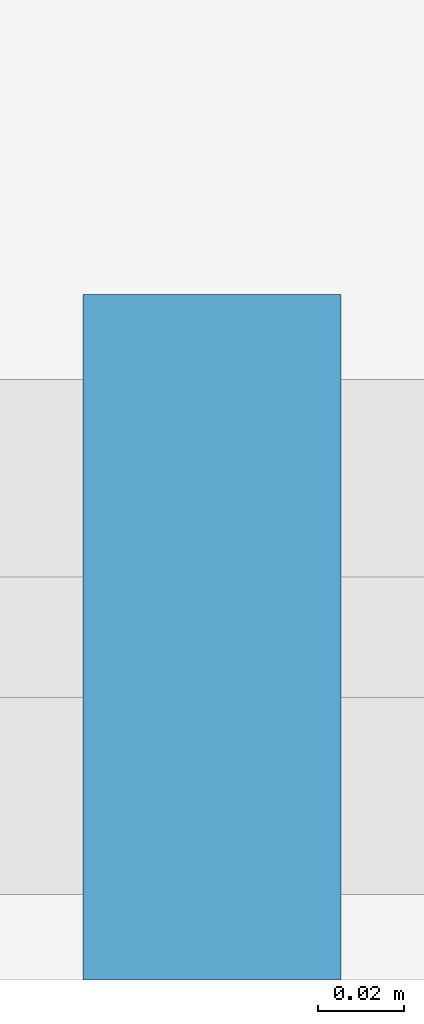
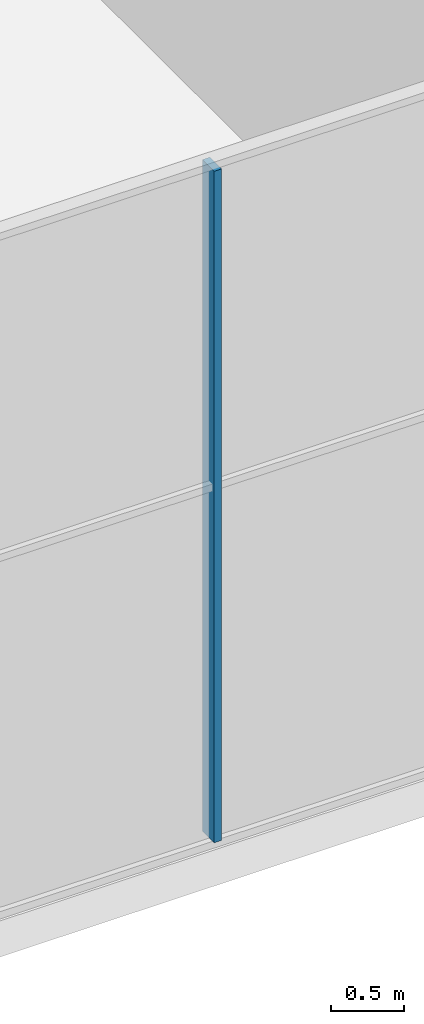
# One storey, part 5 of 19: 1 member, 1 element without a shape of its own.
"""IFC4 building model written with IfcOpenShell, lengths in metres."""

from ifc_helpers import new_model, si_unit, direction, frame, origin, origin_2d, place, context, subcontext, project, spatial, rectangle, extrude, material, material_profile, profile_set, type_object, element, aggregate, save


model = new_model("IFC4")

# Units and contexts
model_context = context("Model", 3, precision=1e-05, world=origin(), true_north=direction((0.0, 1.0)))
body_context = subcontext(model_context, "Body", "Model", "MODEL_VIEW")
ifc_project = project(units=[si_unit("LENGTHUNIT", "METRE"), si_unit("AREAUNIT", "SQUARE_METRE"), si_unit("VOLUMEUNIT", "CUBIC_METRE"), si_unit("PLANEANGLEUNIT", "RADIAN"), si_unit("MASSUNIT", "GRAM", prefix="KILO")], contexts=[model_context])

# Site, building, storey
site_placement = place(None, origin())
site = spatial("IfcSite", under=ifc_project, at=site_placement, CompositionType="ELEMENT")
building_placement = place(site_placement, origin())
building = spatial("IfcBuilding", under=site, at=building_placement, Name="Ogive Portal Towers", CompositionType="ELEMENT")
storey_placement = place(building_placement, frame((0.0, 0.0, 254.89990234375)))
storey = spatial("IfcBuildingStorey", under=building, at=storey_placement, Name="L63", CompositionType="ELEMENT", Elevation=254.89990234375)

# Curtain wall, member
ifc_material_1 = material(Name="Glass, clear low-iron insulated glazing", Category="glass")
curtain_wall_type = type_object("IfcCurtainWallType", Name="CW OBSERVATION WALL", PredefinedType="NOTDEFINED", material=ifc_material_1)
curtain_wall_placement = place(storey_placement, origin())
curtain_wall = element("IfcCurtainWall", 1, at=curtain_wall_placement, inside=storey, type_object=curtain_wall_type, Name="A:L63:f07:cw0", PredefinedType="NOTDEFINED")
ifc_material_2 = material(Name="Aluminium 6063 anodised", Category="aluminium")
ifc_material_profile = material_profile(ifc_material_2, rectangle(XDim=0.159912109375, YDim=0.06005859375, at=origin_2d()), Name="AL 60x160")
ifc_profile_set = profile_set([ifc_material_profile], Name="Aluminium 6063 anodised")
member_type = type_object("IfcMemberType", Name="CW MULLION 60x160", PredefinedType="MULLION", material=ifc_profile_set)
member_placement = place(storey_placement, frame((63.0, 19.679931640625, 0.06005859375), z_axis=(0.0, 0.0, 1.0), x_axis=(0.0, 1.0, 0.0)))
member = element("IfcMember", 2, at=member_placement, type_object=member_type, Name="mullion", PredefinedType="MULLION", context=body_context, shape_type="SweptSolid", body=[
    extrude(rectangle(XDim=0.159912109375, YDim=0.06005859375, at=origin_2d()), origin(), (0.0, 0.0, 1.0), 5.580078125),
])
aggregate(curtain_wall, [member])

save(model, "model.ifc")
